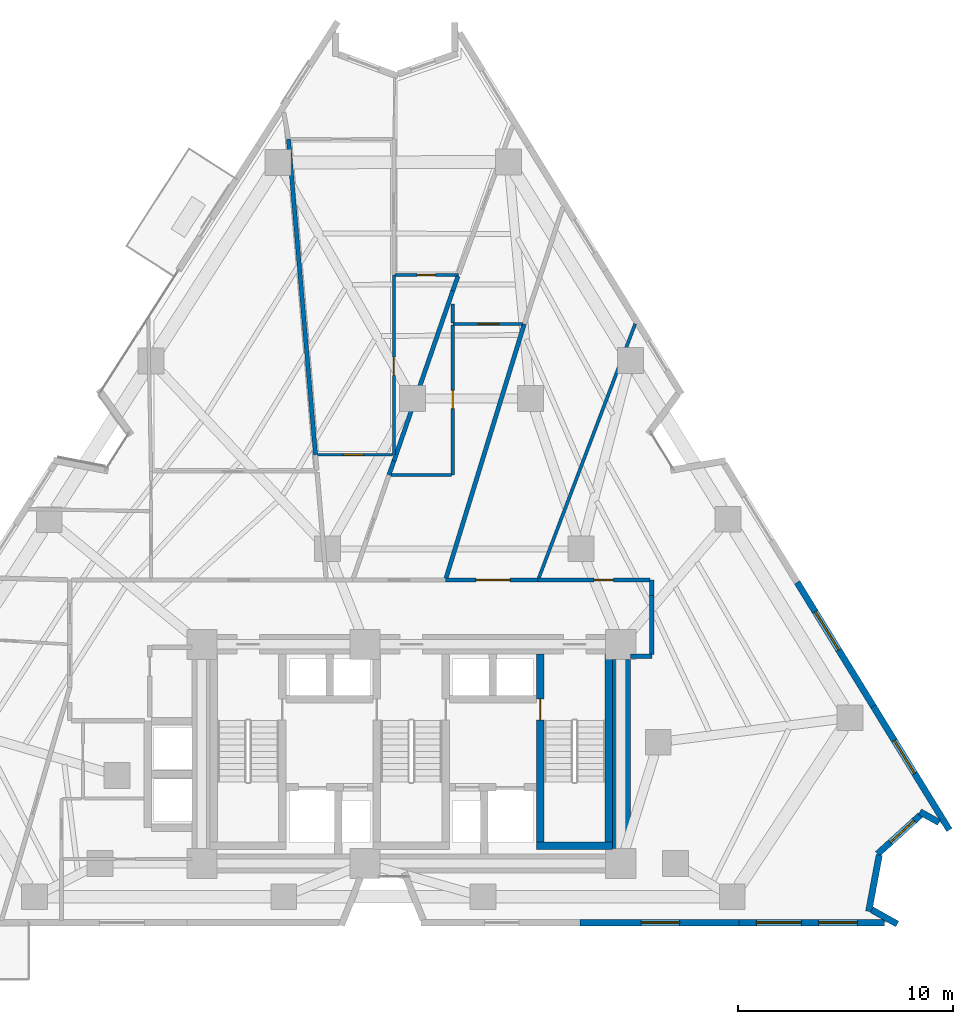
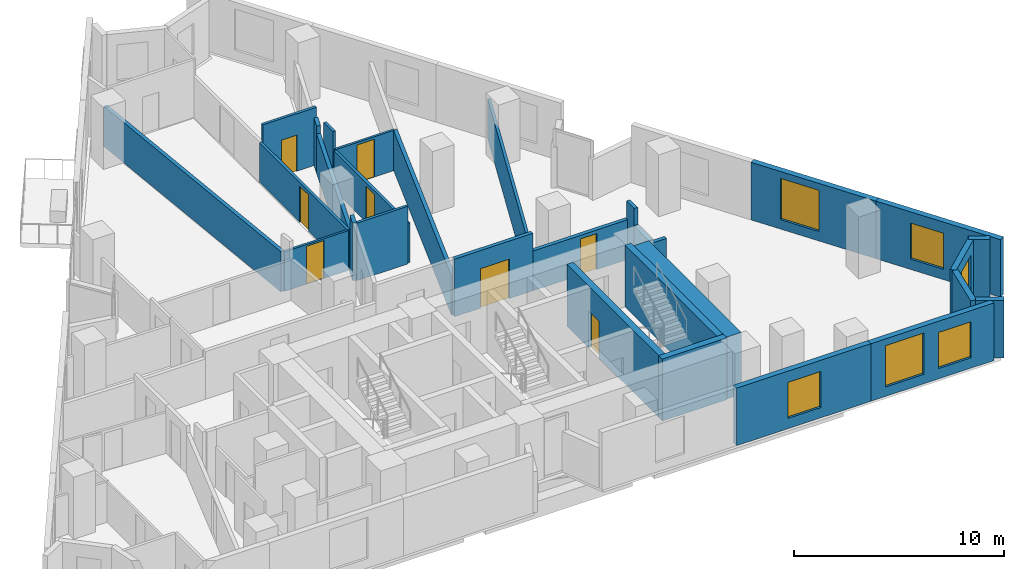
# One storey, part 8 of 13: 30 walls, 8 doors, 6 windows, 14 openings.
"""IFC4 building model written with IfcOpenShell, lengths in metres."""

from ifc_helpers import new_model, si_unit, direction, frame, frame_2d, origin, place, context, subcontext, project, spatial, rectangle, extrude, material, layer, layer_set, type_object, element, fill, save


model = new_model("IFC4")

# Units and contexts
model_context = context("Model", 3, precision=1e-05, world=origin(), true_north=direction((0.0, 1.0)))
body_context = subcontext(model_context, "Body", "Model", "MODEL_VIEW")
ifc_project = project(units=[si_unit("LENGTHUNIT", "METRE"), si_unit("AREAUNIT", "SQUARE_METRE"), si_unit("VOLUMEUNIT", "CUBIC_METRE"), si_unit("PLANEANGLEUNIT", "RADIAN"), si_unit("MASSUNIT", "GRAM", prefix="KILO")], contexts=[model_context])

# Site, building, storey
site_placement = place(None, origin())
site = spatial("IfcSite", under=ifc_project, at=site_placement, CompositionType="ELEMENT")
building_placement = place(site_placement, origin())
building = spatial("IfcBuilding", under=site, at=building_placement, Name="Almagre Mirador Tower", CompositionType="ELEMENT")
storey_placement = place(building_placement, frame((0.0, 0.0, 89.39990234375)))
storey = spatial("IfcBuildingStorey", under=building, at=storey_placement, Name="L22", CompositionType="ELEMENT", Elevation=89.39990234375)

# Wall, opening, window
ifc_material_1 = material(Name="Precast concrete C50/60", Category="concrete")
ifc_layer_1 = layer(ifc_material_1, 0.300048828125)
ifc_layer_set_1 = layer_set([ifc_layer_1], Name="Precast concrete C50/60")
wall_type_1 = type_object("IfcWallType", Name="WAL-EXT-300", PredefinedType="SOLIDWALL", material=ifc_layer_set_1)
wall_1_placement = place(storey_placement, frame((55.2646484375, 17.63720703125, 0.0), z_axis=(0.0, 0.0, 1.0), x_axis=(0.523668488753, -0.851922129004, 0.0)))
wall_1 = element("IfcWall", 1, at=wall_1_placement, inside=storey, type_object=wall_type_1, Name="L22 expressed almagre precast frame wall 15", PredefinedType="SOLIDWALL", context=body_context, shape_type="SweptSolid", body=[
    extrude(rectangle(XDim=6.76513671875, YDim=0.300048828125, at=frame_2d((3.382568359375, 0.0))), origin(), (0.0, 0.0, 1.0), 3.35009765625),
])
opening_1_placement = place(wall_1_placement, frame((1.60009765625, 0.0, 0.550048828125)))
opening_1 = element("IfcOpeningElement", 2, at=opening_1_placement, cuts=wall_1, Name="Opening WN-05", PredefinedType="OPENING", context=body_context, shape_type="SweptSolid", body=[
    extrude(rectangle(XDim=2.10009765625, YDim=2.39990234375, at=frame_2d((1.050048828125, 1.199951171875))), frame((0.0, 0.159902, 0.0), z_axis=(0.0, -1.0, 0.0), x_axis=(1.0, 0.0, 0.0)), (0.0, 0.0, 1.0), 0.320049),
])
ifc_material_2 = material(Name="Dark solar-control laminated hurricane glass", Category="glass")
window_type_1 = type_object("IfcWindowType", Name="WIN-2100X2400", PartitioningType="DOUBLE_PANEL_VERTICAL", PredefinedType="WINDOW", material=ifc_material_2)
window_1_placement = place(opening_1_placement, origin())
window_1 = element("IfcWindow", 3, at=window_1_placement, inside=storey, type_object=window_type_1, Name="L22 recessed hurricane window L22-RST-E", OverallHeight=2.39990234375, OverallWidth=2.10009765625, PartitioningType="SINGLE_PANEL", PredefinedType="WINDOW", context=body_context, shape_type="SweptSolid", body=[
    extrude(rectangle(XDim=2.10009765625, YDim=2.39990234375, at=frame_2d((1.050048828125, 1.199951171875))), frame((0.0, 0.030029296875, 0.0), z_axis=(0.0, -1.0, 0.0), x_axis=(1.0, 0.0, 0.0)), (0.0, 0.0, 1.0), 0.06005859375),
])
fill(opening_1, window_1)

wall_2_placement = place(storey_placement, frame((58.807373046875, 11.873779296875, 0.0), z_axis=(0.0, 0.0, 1.0), x_axis=(0.523710779633, -0.851896131754, 0.0)))
wall_2 = element("IfcWall", 4, at=wall_2_placement, inside=storey, type_object=wall_type_1, Name="L22 expressed almagre precast frame wall 16", PredefinedType="SOLIDWALL", context=body_context, shape_type="SweptSolid", body=[
    extrude(rectangle(XDim=6.76513671875, YDim=0.300048828125, at=frame_2d((3.382568359375, 0.0))), origin(), (0.0, 0.0, 1.0), 3.35009765625),
])
opening_2_placement = place(wall_2_placement, frame((1.875, 0.0, 0.60009765625)))
opening_2 = element("IfcOpeningElement", 5, at=opening_2_placement, cuts=wall_2, Name="Opening WN-01", PredefinedType="OPENING", context=body_context, shape_type="SweptSolid", body=[
    extrude(rectangle(XDim=1.800048828125, YDim=2.10009765625, at=frame_2d((0.89990234375, 1.050048828125))), frame((0.0, 0.159902, 0.0), z_axis=(0.0, -1.0, 0.0), x_axis=(1.0, 0.0, 0.0)), (0.0, 0.0, 1.0), 0.320049),
])
ifc_material_3 = material(Name="Dark solar-control laminated hurricane glass", Category="glass")
window_type_2 = type_object("IfcWindowType", Name="WIN-1800X2100", PartitioningType="DOUBLE_PANEL_VERTICAL", PredefinedType="WINDOW", material=ifc_material_3)
window_2_placement = place(opening_2_placement, origin())
window_2 = element("IfcWindow", 6, at=window_2_placement, inside=storey, type_object=window_type_2, Name="L22 recessed hurricane window L22-UD-ST", OverallHeight=2.10009765625, OverallWidth=1.800048828125, PartitioningType="SINGLE_PANEL", PredefinedType="WINDOW", context=body_context, shape_type="SweptSolid", body=[
    extrude(rectangle(XDim=1.800048828125, YDim=2.10009765625, at=frame_2d((0.89990234375, 1.050048828125))), frame((0.0, 0.030029296875, 0.0), z_axis=(0.0, -1.0, 0.0), x_axis=(1.0, 0.0, 0.0)), (0.0, 0.0, 1.0), 0.06005859375),
])
fill(opening_2, window_2)

# Wall
wall_3_placement = place(storey_placement, frame((61.87109375, 6.45703125, 0.0), z_axis=(0.0, 0.0, 1.0), x_axis=(-0.872635981388, 0.488371215355, 0.0)))
element("IfcWall", 7, at=wall_3_placement, inside=storey, type_object=wall_type_1, Name="L22 expressed almagre precast frame wall 17", PredefinedType="SOLIDWALL", context=body_context, shape_type="SweptSolid", body=[
    extrude(rectangle(XDim=1.02490234375, YDim=0.300048828125, at=frame_2d((0.512451171875, 0.0))), origin(), (0.0, 0.0, 1.0), 3.35009765625),
])

# Wall, opening, window
wall_4_placement = place(storey_placement, frame((61.002685546875, 6.8017578125, 0.0), z_axis=(0.0, 0.0, 1.0), x_axis=(-0.741163448221, -0.671324618215, 0.0)))
wall_4 = element("IfcWall", 8, at=wall_4_placement, inside=storey, type_object=wall_type_1, Name="L22 expressed almagre precast frame wall 18", PredefinedType="SOLIDWALL", context=body_context, shape_type="SweptSolid", body=[
    extrude(rectangle(XDim=2.688232421875, YDim=0.300048828125, at=frame_2d((1.34423828125, 0.0))), origin(), (0.0, 0.0, 1.0), 3.35009765625),
])
opening_3_placement = place(wall_4_placement, frame((0.3798828125, 0.0, 0.60009765625)))
opening_3 = element("IfcOpeningElement", 9, at=opening_3_placement, cuts=wall_4, Name="Opening WN-03", PredefinedType="OPENING", context=body_context, shape_type="SweptSolid", body=[
    extrude(rectangle(XDim=1.5, YDim=2.10009765625, at=frame_2d((0.75, 1.050048828125))), frame((0.0, 0.159902, 0.0), z_axis=(0.0, -1.0, 0.0), x_axis=(1.0, 0.0, 0.0)), (0.0, 0.0, 1.0), 0.320049),
])
ifc_material_4 = material(Name="Dark solar-control laminated hurricane glass", Category="glass")
window_type_3 = type_object("IfcWindowType", Name="WIN-1500X2100", PartitioningType="DOUBLE_PANEL_VERTICAL", PredefinedType="WINDOW", material=ifc_material_4)
window_3_placement = place(opening_3_placement, origin())
window_3 = element("IfcWindow", 10, at=window_3_placement, inside=storey, type_object=window_type_3, Name="L22 recessed hurricane window L22-UD-ST", OverallHeight=2.10009765625, OverallWidth=1.5, PartitioningType="SINGLE_PANEL", PredefinedType="WINDOW", context=body_context, shape_type="SweptSolid", body=[
    extrude(rectangle(XDim=1.5, YDim=2.10009765625, at=frame_2d((0.75, 1.050048828125))), frame((0.0, 0.030029296875, 0.0), z_axis=(0.0, -1.0, 0.0), x_axis=(1.0, 0.0, 0.0)), (0.0, 0.0, 1.0), 0.06005859375),
])
fill(opening_3, window_3)

# Walls
wall_5_placement = place(storey_placement, frame((59.08740234375, 4.948486328125, 0.0), z_axis=(0.0, 0.0, 1.0), x_axis=(-0.183786629236, -0.982966161632, 0.0)))
element("IfcWall", 11, at=wall_5_placement, inside=storey, type_object=wall_type_1, Name="L22 expressed almagre precast frame wall 19", PredefinedType="SOLIDWALL", context=body_context, shape_type="SweptSolid", body=[
    extrude(rectangle(XDim=2.672607421875, YDim=0.300048828125, at=frame_2d((1.33642578125, 0.0))), origin(), (0.0, 0.0, 1.0), 3.35009765625),
])
wall_6_placement = place(storey_placement, frame((58.7353515625, 2.3955078125, 0.0), z_axis=(0.0, 0.0, 1.0), x_axis=(0.872747775204, -0.488171405221, 0.0)))
element("IfcWall", 12, at=wall_6_placement, inside=storey, type_object=wall_type_1, Name="L22 expressed almagre precast frame wall 20", PredefinedType="SOLIDWALL", context=body_context, shape_type="SweptSolid", body=[
    extrude(rectangle(XDim=1.35986328125, YDim=0.300048828125, at=frame_2d((0.679931640625, 0.0))), origin(), (0.0, 0.0, 1.0), 3.35009765625),
])

# Wall, openings, windows
wall_7_placement = place(storey_placement, frame((59.340087890625, 1.800048828125, 0.0), z_axis=(0.0, 0.0, 1.0), x_axis=(-1.0, 0.0, 0.0)))
wall_7 = element("IfcWall", 13, at=wall_7_placement, inside=storey, type_object=wall_type_1, Name="L22 expressed almagre precast frame wall 21", PredefinedType="SOLIDWALL", context=body_context, shape_type="SweptSolid", body=[
    extrude(rectangle(XDim=6.79345703125, YDim=0.300048828125, at=frame_2d((3.396728515625, 0.0))), origin(), (0.0, 0.0, 1.0), 3.35009765625),
])
opening_4_placement = place(wall_7_placement, frame((3.875, 0.0, 0.550048828125)))
opening_4 = element("IfcOpeningElement", 14, at=opening_4_placement, cuts=wall_7, Name="Opening WN-05", PredefinedType="OPENING", context=body_context, shape_type="SweptSolid", body=[
    extrude(rectangle(XDim=2.10009765625, YDim=2.39990234375, at=frame_2d((1.050048828125, 1.199951171875))), frame((0.0, 0.159902, 0.0), z_axis=(0.0, -1.0, 0.0), x_axis=(1.0, 0.0, 0.0)), (0.0, 0.0, 1.0), 0.320049),
])
opening_5_placement = place(wall_7_placement, frame((1.27490234375, 0.0, 0.60009765625)))
opening_5 = element("IfcOpeningElement", 15, at=opening_5_placement, cuts=wall_7, Name="Opening WN-01", PredefinedType="OPENING", context=body_context, shape_type="SweptSolid", body=[
    extrude(rectangle(XDim=1.800048828125, YDim=2.10009765625, at=frame_2d((0.89990234375, 1.050048828125))), frame((0.0, 0.159902, 0.0), z_axis=(0.0, -1.0, 0.0), x_axis=(1.0, 0.0, 0.0)), (0.0, 0.0, 1.0), 0.320049),
])
window_4_placement = place(opening_5_placement, origin())
window_4 = element("IfcWindow", 16, at=window_4_placement, inside=storey, type_object=window_type_2, Name="L22 recessed hurricane window L22-UD-BT", OverallHeight=2.10009765625, OverallWidth=1.800048828125, PartitioningType="SINGLE_PANEL", PredefinedType="WINDOW", context=body_context, shape_type="SweptSolid", body=[
    extrude(rectangle(XDim=1.800048828125, YDim=2.10009765625, at=frame_2d((0.89990234375, 1.050048828125))), frame((0.0, 0.030029296875, 0.0), z_axis=(0.0, -1.0, 0.0), x_axis=(1.0, 0.0, 0.0)), (0.0, 0.0, 1.0), 0.06005859375),
])
fill(opening_5, window_4)
window_5_placement = place(opening_4_placement, origin())
window_5 = element("IfcWindow", 17, at=window_5_placement, inside=storey, type_object=window_type_1, Name="L22 recessed hurricane window L22-RST-B", OverallHeight=2.39990234375, OverallWidth=2.10009765625, PartitioningType="SINGLE_PANEL", PredefinedType="WINDOW", context=body_context, shape_type="SweptSolid", body=[
    extrude(rectangle(XDim=2.10009765625, YDim=2.39990234375, at=frame_2d((1.050048828125, 1.199951171875))), frame((0.0, 0.030029296875, 0.0), z_axis=(0.0, -1.0, 0.0), x_axis=(1.0, 0.0, 0.0)), (0.0, 0.0, 1.0), 0.06005859375),
])
fill(opening_4, window_5)

# Wall, opening, window
wall_8_placement = place(storey_placement, frame((52.546630859375, 1.800048828125, 0.0), z_axis=(0.0, 0.0, 1.0), x_axis=(-1.0, 0.0, 0.0)))
wall_8 = element("IfcWall", 18, at=wall_8_placement, inside=storey, type_object=wall_type_1, Name="L22 expressed almagre precast frame wall 22", PredefinedType="SOLIDWALL", context=body_context, shape_type="SweptSolid", body=[
    extrude(rectangle(XDim=7.393310546875, YDim=0.300048828125, at=frame_2d((3.69677734375, 0.0))), origin(), (0.0, 0.0, 1.0), 3.35009765625),
])
opening_6_placement = place(wall_8_placement, frame((2.75, 0.0, 0.60009765625)))
opening_6 = element("IfcOpeningElement", 19, at=opening_6_placement, cuts=wall_8, Name="Opening WN-01", PredefinedType="OPENING", context=body_context, shape_type="SweptSolid", body=[
    extrude(rectangle(XDim=1.800048828125, YDim=2.10009765625, at=frame_2d((0.89990234375, 1.050048828125))), frame((0.0, 0.159902, 0.0), z_axis=(0.0, -1.0, 0.0), x_axis=(1.0, 0.0, 0.0)), (0.0, 0.0, 1.0), 0.320049),
])
window_6_placement = place(opening_6_placement, origin())
window_6 = element("IfcWindow", 20, at=window_6_placement, inside=storey, type_object=window_type_2, Name="L22 recessed hurricane window L22-RST-B", OverallHeight=2.10009765625, OverallWidth=1.800048828125, PartitioningType="SINGLE_PANEL", PredefinedType="WINDOW", context=body_context, shape_type="SweptSolid", body=[
    extrude(rectangle(XDim=1.800048828125, YDim=2.10009765625, at=frame_2d((0.89990234375, 1.050048828125))), frame((0.0, 0.030029296875, 0.0), z_axis=(0.0, -1.0, 0.0), x_axis=(1.0, 0.0, 0.0)), (0.0, 0.0, 1.0), 0.06005859375),
])
fill(opening_6, window_6)

# Wall, opening, door
ifc_material_5 = material(Name="Gypsum acoustic stud partition", Category="other")
ifc_layer_2 = layer(ifc_material_5, 0.125)
ifc_layer_set_2 = layer_set([ifc_layer_2], Name="Gypsum acoustic stud partition")
wall_type_2 = type_object("IfcWallType", Name="WAL-PRT-125-UTL", PredefinedType="PARTITIONING", material=ifc_layer_set_2)
wall_9_placement = place(storey_placement, frame((32.925048828125, 23.580078125, 0.0), z_axis=(0.0, 0.0, 1.0), x_axis=(1.0, 0.0, 0.0)))
wall_9 = element("IfcWall", 21, at=wall_9_placement, inside=storey, type_object=wall_type_2, Name="L22 interior partition 050", PredefinedType="PARTITIONING", context=body_context, shape_type="SweptSolid", body=[
    extrude(rectangle(XDim=3.5048828125, YDim=0.125, at=frame_2d((1.75244140625, 0.0))), origin(), (0.0, 0.0, 1.0), 2.30908203125),
])
opening_7_placement = place(wall_9_placement, frame((1.20751953125, 0.0, 0.0)))
opening_7 = element("IfcOpeningElement", 22, at=opening_7_placement, cuts=wall_9, Name="Opening UD-01", PredefinedType="OPENING", context=body_context, shape_type="SweptSolid", body=[
    extrude(rectangle(XDim=0.949951171875, YDim=2.199951171875, at=frame_2d((0.47509765625, 1.10009765625))), frame((0.0, 0.0725, 0.0), z_axis=(0.0, -1.0, 0.0), x_axis=(1.0, 0.0, 0.0)), (0.0, 0.0, 1.0), 0.145),
])
ifc_material_6 = material(Name="Solid American walnut timber", Category="wood")
door_type_1 = type_object("IfcDoorType", Name="DOR-UNR-950X2200", OperationType="NOTDEFINED", PredefinedType="DOOR", material=ifc_material_6)
door_1_placement = place(opening_7_placement, origin())
door_1 = element("IfcDoor", 23, at=door_1_placement, inside=storey, type_object=door_type_1, Name="DR-0758 L22 interior door L22-UH-LV to L22-UH-KT", OperationType="SINGLE_SWING_RIGHT", OverallHeight=2.199951171875, OverallWidth=0.949951171875, PredefinedType="DOOR", context=body_context, shape_type="SweptSolid", body=[
    extrude(rectangle(XDim=0.949951171875, YDim=2.199951171875, at=frame_2d((0.47509765625, 1.10009765625))), frame((0.0, 0.02490234375, 0.0), z_axis=(0.0, -1.0, 0.0), x_axis=(1.0, 0.0, 0.0)), (0.0, 0.0, 1.0), 0.050048828125),
])
fill(opening_7, door_1)

wall_10_placement = place(storey_placement, frame((42.47509765625, 29.669921875, 0.0), z_axis=(0.0, 0.0, 1.0), x_axis=(-1.0, 0.0, 0.0)))
wall_10 = element("IfcWall", 24, at=wall_10_placement, inside=storey, type_object=wall_type_2, Name="L22 interior partition 061", PredefinedType="PARTITIONING", context=body_context, shape_type="SweptSolid", body=[
    extrude(rectangle(XDim=3.2451171875, YDim=0.125, at=frame_2d((1.62255859375, 0.0))), origin(), (0.0, 0.0, 1.0), 2.34521484375),
])
opening_8_placement = place(wall_10_placement, frame((1.10498046875, 0.0, 0.0)))
opening_8 = element("IfcOpeningElement", 25, at=opening_8_placement, cuts=wall_10, Name="Opening UD-01", PredefinedType="OPENING", context=body_context, shape_type="SweptSolid", body=[
    extrude(rectangle(XDim=0.949951171875, YDim=2.199951171875, at=frame_2d((0.47509765625, 1.10009765625))), frame((0.0, 0.0725, 0.0), z_axis=(0.0, -1.0, 0.0), x_axis=(1.0, 0.0, 0.0)), (0.0, 0.0, 1.0), 0.145),
])
door_2_placement = place(opening_8_placement, origin())
door_2 = element("IfcDoor", 26, at=door_2_placement, inside=storey, type_object=door_type_1, Name="DR-0762 L22 interior door L22-UJ-ST to L22-UJ-KT", OperationType="SINGLE_SWING_RIGHT", OverallHeight=2.199951171875, OverallWidth=0.949951171875, PredefinedType="DOOR", context=body_context, shape_type="SweptSolid", body=[
    extrude(rectangle(XDim=0.949951171875, YDim=2.199951171875, at=frame_2d((0.47509765625, 1.10009765625))), frame((0.0, 0.02490234375, 0.0), z_axis=(0.0, -1.0, 0.0), x_axis=(1.0, 0.0, 0.0)), (0.0, 0.0, 1.0), 0.050048828125),
])
fill(opening_8, door_2)

# Wall
ifc_material_7 = material(Name="Gypsum acoustic stud partition", Category="other")
ifc_layer_3 = layer(ifc_material_7, 0.14990234375)
ifc_layer_set_3 = layer_set([ifc_layer_3], Name="Gypsum acoustic stud partition")
wall_type_3 = type_object("IfcWallType", Name="WAL-PRT-150-STD", PredefinedType="PARTITIONING", material=ifc_layer_set_3)
wall_11_placement = place(storey_placement, frame((47.72509765625, 29.677978515625, 0.0), z_axis=(0.0, 0.0, 1.0), x_axis=(-0.354716375587, -0.934973953054, 0.0)))
element("IfcWall", 27, at=wall_11_placement, inside=storey, type_object=wall_type_3, Name="L22 interior partition 037", PredefinedType="PARTITIONING", context=body_context, shape_type="SweptSolid", body=[
    extrude(rectangle(XDim=12.67236328125, YDim=0.14990234375, at=frame_2d((6.336181640625, 0.0))), origin(), (0.0, 0.0, 1.0), 2.30908203125),
])

# Wall, opening, door
wall_12_placement = place(storey_placement, frame((36.489990234375, 23.580078125, 0.0), z_axis=(0.0, 0.0, 1.0), x_axis=(0.0, 1.0, 0.0)))
wall_12 = element("IfcWall", 28, at=wall_12_placement, inside=storey, type_object=wall_type_3, Name="L22 interior partition 049", PredefinedType="PARTITIONING", context=body_context, shape_type="SweptSolid", body=[
    extrude(rectangle(XDim=8.369873046875, YDim=0.14990234375, at=frame_2d((4.18505859375, 0.0))), origin(), (0.0, 0.0, 1.0), 2.30908203125),
])
opening_9_placement = place(wall_12_placement, frame((3.70068359375, 0.0, 0.0)))
opening_9 = element("IfcOpeningElement", 29, at=opening_9_placement, cuts=wall_12, Name="Opening UD-04", PredefinedType="OPENING", context=body_context, shape_type="SweptSolid", body=[
    extrude(rectangle(XDim=0.85009765625, YDim=2.10009765625, at=frame_2d((0.425048828125, 1.050048828125))), frame((0.0, 0.084951, 0.0), z_axis=(0.0, -1.0, 0.0), x_axis=(1.0, 0.0, 0.0)), (0.0, 0.0, 1.0), 0.169902),
])
ifc_material_8 = material(Name="Moisture-resistant oak timber", Category="wood")
door_type_2 = type_object("IfcDoorType", Name="DOR-UNR-850X2100", OperationType="NOTDEFINED", PredefinedType="DOOR", material=ifc_material_8)
door_3_placement = place(opening_9_placement, origin())
door_3 = element("IfcDoor", 30, at=door_3_placement, inside=storey, type_object=door_type_2, Name="DR-0759 L22 interior door L22-UH-LV to L22-UH-HB", OperationType="SINGLE_SWING_LEFT", OverallHeight=2.10009765625, OverallWidth=0.85009765625, PredefinedType="DOOR", context=body_context, shape_type="SweptSolid", body=[
    extrude(rectangle(XDim=0.85009765625, YDim=2.10009765625, at=frame_2d((0.425048828125, 1.050048828125))), frame((0.0, 0.02490234375, 0.0), z_axis=(0.0, -1.0, 0.0), x_axis=(1.0, 0.0, 0.0)), (0.0, 0.0, 1.0), 0.050048828125),
])
fill(opening_9, door_3)

wall_13_placement = place(storey_placement, frame((39.489990234375, 31.949951171875, 0.0), z_axis=(0.0, 0.0, 1.0), x_axis=(-1.0, 0.0, 0.0)))
wall_13 = element("IfcWall", 31, at=wall_13_placement, inside=storey, type_object=wall_type_3, Name="L22 interior partition 054", PredefinedType="PARTITIONING", context=body_context, shape_type="SweptSolid", body=[
    extrude(rectangle(XDim=2.93994140625, YDim=0.14990234375, at=frame_2d((1.469970703125, 0.0))), origin(), (0.0, 0.0, 1.0), 3.35009765625),
])
opening_10_placement = place(wall_13_placement, frame((1.074951171875, 0.0, 0.0)))
opening_10 = element("IfcOpeningElement", 32, at=opening_10_placement, cuts=wall_13, Name="Opening UD-04", PredefinedType="OPENING", context=body_context, shape_type="SweptSolid", body=[
    extrude(rectangle(XDim=0.85009765625, YDim=2.10009765625, at=frame_2d((0.425048828125, 1.050048828125))), frame((0.0, 0.084951, 0.0), z_axis=(0.0, -1.0, 0.0), x_axis=(1.0, 0.0, 0.0)), (0.0, 0.0, 1.0), 0.169902),
])
door_4_placement = place(opening_10_placement, origin())
door_4 = element("IfcDoor", 33, at=door_4_placement, inside=storey, type_object=door_type_2, Name="DR-0768 L22 interior door L22-UH-HB to L22-UH-SL1", OperationType="SINGLE_SWING_RIGHT", OverallHeight=2.10009765625, OverallWidth=0.85009765625, PredefinedType="DOOR", context=body_context, shape_type="SweptSolid", body=[
    extrude(rectangle(XDim=0.85009765625, YDim=2.10009765625, at=frame_2d((0.425048828125, 1.050048828125))), frame((0.0, 0.02490234375, 0.0), z_axis=(0.0, -1.0, 0.0), x_axis=(1.0, 0.0, 0.0)), (0.0, 0.0, 1.0), 0.050048828125),
])
fill(opening_10, door_4)

wall_14_placement = place(storey_placement, frame((39.22998046875, 29.62255859375, 0.0), z_axis=(0.0, 0.0, 1.0), x_axis=(0.0, -1.0, 0.0)))
wall_14 = element("IfcWall", 34, at=wall_14_placement, inside=storey, type_object=wall_type_3, Name="L22 interior partition 062", PredefinedType="PARTITIONING", context=body_context, shape_type="SweptSolid", body=[
    extrude(rectangle(XDim=6.982666015625, YDim=0.14990234375, at=frame_2d((3.4912109375, 0.0))), origin(), (0.0, 0.0, 1.0), 2.30908203125),
])
opening_11_placement = place(wall_14_placement, frame((3.04248046875, 0.0, 0.0)))
opening_11 = element("IfcOpeningElement", 35, at=opening_11_placement, cuts=wall_14, Name="Opening UD-04", PredefinedType="OPENING", context=body_context, shape_type="SweptSolid", body=[
    extrude(rectangle(XDim=0.85009765625, YDim=2.10009765625, at=frame_2d((0.425048828125, 1.050048828125))), frame((0.0, 0.084951, 0.0), z_axis=(0.0, -1.0, 0.0), x_axis=(1.0, 0.0, 0.0)), (0.0, 0.0, 1.0), 0.169902),
])
door_5_placement = place(opening_11_placement, origin())
door_5 = element("IfcDoor", 36, at=door_5_placement, inside=storey, type_object=door_type_2, Name="DR-0763 L22 interior door L22-UJ-ST to L22-UJ-BT", OperationType="SINGLE_SWING_LEFT", OverallHeight=2.10009765625, OverallWidth=0.85009765625, PredefinedType="DOOR", context=body_context, shape_type="SweptSolid", body=[
    extrude(rectangle(XDim=0.85009765625, YDim=2.10009765625, at=frame_2d((0.425048828125, 1.050048828125))), frame((0.0, 0.02490234375, 0.0), z_axis=(0.0, -1.0, 0.0), x_axis=(1.0, 0.0, 0.0)), (0.0, 0.0, 1.0), 0.050048828125),
])
fill(opening_11, door_5)

# Walls
wall_15_placement = place(storey_placement, frame((39.169921875, 22.639892578125, 0.0), z_axis=(0.0, 0.0, 1.0), x_axis=(-1.0, 0.0, 0.0)))
element("IfcWall", 37, at=wall_15_placement, inside=storey, type_object=wall_type_3, Name="L22 interior partition 063", PredefinedType="PARTITIONING", context=body_context, shape_type="SweptSolid", body=[
    extrude(rectangle(XDim=2.824951171875, YDim=0.14990234375, at=frame_2d((1.41259765625, 0.0))), origin(), (0.0, 0.0, 1.0), 3.35009765625),
])
wall_16_placement = place(storey_placement, frame((39.22998046875, 30.598388671875, 0.0), z_axis=(0.0, 0.0, 1.0), x_axis=(0.0, -1.0, 0.0)))
element("IfcWall", 38, at=wall_16_placement, inside=storey, type_object=wall_type_3, Name="L22 interior partition 064", PredefinedType="PARTITIONING", context=body_context, shape_type="SweptSolid", body=[
    extrude(rectangle(XDim=0.880859375, YDim=0.14990234375, at=frame_2d((0.4404296875, 0.0))), origin(), (0.0, 0.0, 1.0), 3.35009765625),
])
ifc_material_9 = material(Name="Gypsum acoustic stud partition", Category="other")
ifc_layer_4 = layer(ifc_material_9, 0.199951171875)
ifc_layer_set_4 = layer_set([ifc_layer_4], Name="Gypsum acoustic stud partition")
wall_type_4 = type_object("IfcWallType", Name="WAL-PRT-200-EI60", PredefinedType="PARTITIONING", material=ifc_layer_set_4)
wall_17_placement = place(storey_placement, frame((47.5, 14.199951171875, 0.0), z_axis=(0.0, 0.0, 1.0), x_axis=(1.0, 0.0, 0.0)))
element("IfcWall", 39, at=wall_17_placement, inside=storey, type_object=wall_type_4, Name="L22 interior partition 004", PredefinedType="PARTITIONING", context=body_context, shape_type="SweptSolid", body=[
    extrude(rectangle(XDim=1.0, YDim=0.199951171875, at=frame_2d((0.5, 0.0))), origin(), (0.0, 0.0, 1.0), 3.35009765625),
])
wall_18_placement = place(storey_placement, frame((48.5, 14.284912109375, 0.0), z_axis=(0.0, 0.0, 1.0), x_axis=(0.0, 1.0, 0.0)))
element("IfcWall", 40, at=wall_18_placement, inside=storey, type_object=wall_type_4, Name="L22 interior partition 005", PredefinedType="PARTITIONING", context=body_context, shape_type="SweptSolid", body=[
    extrude(rectangle(XDim=2.735107421875, YDim=0.199951171875, at=frame_2d((1.36767578125, 0.0))), origin(), (0.0, 0.0, 1.0), 2.34521484375),
])
wall_19_placement = place(storey_placement, frame((48.5, 17.02001953125, 0.0), z_axis=(0.0, 0.0, 1.0), x_axis=(0.0, 1.0, 0.0)))
element("IfcWall", 41, at=wall_19_placement, inside=storey, type_object=wall_type_4, Name="L22 interior partition 008", PredefinedType="PARTITIONING", context=body_context, shape_type="SweptSolid", body=[
    extrude(rectangle(XDim=0.72998046875, YDim=0.199951171875, at=frame_2d((0.364990234375, 0.0))), origin(), (0.0, 0.0, 1.0), 3.35009765625),
])

# Wall, opening, door
wall_20_placement = place(storey_placement, frame((48.4150390625, 17.75, 0.0), z_axis=(0.0, 0.0, 1.0), x_axis=(-1.0, 0.0, 0.0)))
wall_20 = element("IfcWall", 42, at=wall_20_placement, inside=storey, type_object=wall_type_4, Name="L22 interior partition 009", PredefinedType="PARTITIONING", context=body_context, shape_type="SweptSolid", body=[
    extrude(rectangle(XDim=5.215087890625, YDim=0.199951171875, at=frame_2d((2.607421875, 0.0))), origin(), (0.0, 0.0, 1.0), 2.30908203125),
])
opening_12_placement = place(wall_20_placement, frame((1.702880859375, 0.0, 0.0)))
opening_12 = element("IfcOpeningElement", 43, at=opening_12_placement, cuts=wall_20, Name="Opening ID-03", PredefinedType="OPENING", context=body_context, shape_type="SweptSolid", body=[
    extrude(rectangle(XDim=0.89990234375, YDim=2.10009765625, at=frame_2d((0.449951171875, 1.050048828125))), frame((0.0, 0.110098, 0.0), z_axis=(0.0, -1.0, 0.0), x_axis=(1.0, 0.0, 0.0)), (0.0, 0.0, 1.0), 0.219951),
])
ifc_material_10 = material(Name="Fire-rated hollow steel", Category="steel")
door_type_3 = type_object("IfcDoorType", Name="DOR-FD60-900X2100", OperationType="NOTDEFINED", PredefinedType="DOOR", material=ifc_material_10)
door_6_placement = place(opening_12_placement, origin())
door_6 = element("IfcDoor", 44, at=door_6_placement, inside=storey, type_object=door_type_3, Name="DR-0746 L22 interior door L22-RCOR to L22-RST-E", OperationType="SINGLE_SWING_RIGHT", OverallHeight=2.10009765625, OverallWidth=0.89990234375, PredefinedType="DOOR", context=body_context, shape_type="SweptSolid", body=[
    extrude(rectangle(XDim=0.89990234375, YDim=2.10009765625, at=frame_2d((0.449951171875, 1.050048828125))), frame((0.0, 0.02490234375, 0.0), z_axis=(0.0, -1.0, 0.0), x_axis=(1.0, 0.0, 0.0)), (0.0, 0.0, 1.0), 0.050048828125),
])
fill(opening_12, door_6)

wall_21_placement = place(storey_placement, frame((43.199951171875, 17.75, 0.0), z_axis=(0.0, 0.0, 1.0), x_axis=(-1.0, 0.0, 0.0)))
wall_21 = element("IfcWall", 45, at=wall_21_placement, inside=storey, type_object=wall_type_4, Name="L22 interior partition 012", PredefinedType="PARTITIONING", context=body_context, shape_type="SweptSolid", body=[
    extrude(rectangle(XDim=4.31005859375, YDim=0.199951171875, at=frame_2d((2.155029296875, 0.0))), origin(), (0.0, 0.0, 1.0), 3.35009765625),
])
opening_13_placement = place(wall_21_placement, frame((1.297119140625, 0.0, 0.0)))
opening_13 = element("IfcOpeningElement", 46, at=opening_13_placement, cuts=wall_21, Name="Opening ID-05", PredefinedType="OPENING", context=body_context, shape_type="SweptSolid", body=[
    extrude(rectangle(XDim=1.60009765625, YDim=2.300048828125, at=frame_2d((0.800048828125, 1.14990234375))), frame((0.0, 0.110098, 0.0), z_axis=(0.0, -1.0, 0.0), x_axis=(1.0, 0.0, 0.0)), (0.0, 0.0, 1.0), 0.219951),
])
ifc_material_11 = material(Name="Fire-rated acoustic timber", Category="wood")
door_type_4 = type_object("IfcDoorType", Name="DOR-FD60-1600X2300", OperationType="DOUBLE_DOOR_SINGLE_SWING", PredefinedType="DOOR", material=ifc_material_11)
door_7_placement = place(opening_13_placement, origin())
door_7 = element("IfcDoor", 47, at=door_7_placement, inside=storey, type_object=door_type_4, Name="DR-0747 L22 interior door L22-RCOR to L22-RST-G", OperationType="DOUBLE_DOOR_SINGLE_SWING", OverallHeight=2.300048828125, OverallWidth=1.60009765625, PredefinedType="DOOR", context=body_context, shape_type="SweptSolid", body=[
    extrude(rectangle(XDim=1.60009765625, YDim=2.300048828125, at=frame_2d((0.800048828125, 1.14990234375))), frame((0.0, 0.02490234375, 0.0), z_axis=(0.0, -1.0, 0.0), x_axis=(1.0, 0.0, 0.0)), (0.0, 0.0, 1.0), 0.050048828125),
])
fill(opening_13, door_7)

# Walls
wall_22_placement = place(storey_placement, frame((32.840087890625, 23.580078125, 0.0), z_axis=(0.0, 0.0, 1.0), x_axis=(-0.085402080026, 0.996346568583, 0.0)))
element("IfcWall", 48, at=wall_22_placement, inside=storey, type_object=wall_type_4, Name="L22 interior partition 044", PredefinedType="PARTITIONING", context=body_context, shape_type="SweptSolid", body=[
    extrude(rectangle(XDim=14.75390625, YDim=0.199951171875, at=frame_2d((7.376953125, 0.0))), origin(), (0.0, 0.0, 1.0), 2.34521484375),
])
wall_23_placement = place(storey_placement, frame((42.56005859375, 29.669921875, 0.0), z_axis=(0.0, 0.0, 1.0), x_axis=(-0.294260351441, -0.955725298174, 0.0)))
element("IfcWall", 49, at=wall_23_placement, inside=storey, type_object=wall_type_4, Name="L22 interior partition 047", PredefinedType="PARTITIONING", context=body_context, shape_type="SweptSolid", body=[
    extrude(rectangle(XDim=12.386962890625, YDim=0.199951171875, at=frame_2d((6.193359375, 0.0))), origin(), (0.0, 0.0, 1.0), 2.30908203125),
])
wall_24_placement = place(storey_placement, frame((39.22998046875, 31.2099609375, 0.0), z_axis=(0.0, 0.0, 1.0), x_axis=(0.331656267321, 0.943400296983, 0.0)))
element("IfcWall", 50, at=wall_24_placement, inside=storey, type_object=wall_type_4, Name="L22 interior partition 055", PredefinedType="PARTITIONING", context=body_context, shape_type="SweptSolid", body=[
    extrude(rectangle(XDim=0.724365234375, YDim=0.199951171875, at=frame_2d((0.3623046875, 0.0))), origin(), (0.0, 0.0, 1.0), 2.77099609375),
])
wall_25_placement = place(storey_placement, frame((36.489990234375, 23.2900390625, 0.0), z_axis=(0.0, 0.0, 1.0), x_axis=(0.326948466607, 0.945042168468, 0.0)))
element("IfcWall", 51, at=wall_25_placement, inside=storey, type_object=wall_type_4, Name="L22 interior partition 056", PredefinedType="PARTITIONING", context=body_context, shape_type="SweptSolid", body=[
    extrude(rectangle(XDim=8.380615234375, YDim=0.199951171875, at=frame_2d((4.1904296875, 0.0))), origin(), (0.0, 0.0, 1.0), 2.30908203125),
])
wall_26_placement = place(storey_placement, frame((36.260009765625, 22.639892578125, 0.0), z_axis=(0.0, 0.0, 1.0), x_axis=(0.333486681142, 0.942754810914, 0.0)))
element("IfcWall", 52, at=wall_26_placement, inside=storey, type_object=wall_type_4, Name="L22 interior partition 058", PredefinedType="PARTITIONING", context=body_context, shape_type="SweptSolid", body=[
    extrude(rectangle(XDim=0.689697265625, YDim=0.199951171875, at=frame_2d((0.3447265625, 0.0))), origin(), (0.0, 0.0, 1.0), 3.35009765625),
])

# Wall, opening, door
ifc_material_12 = material(Name="Concrete C60/75", Category="concrete")
ifc_layer_5 = layer(ifc_material_12, 0.35009765625)
ifc_layer_set_5 = layer_set([ifc_layer_5], Name="Concrete C60/75")
wall_type_5 = type_object("IfcWallType", Name="WAL-SHF-350", PredefinedType="SOLIDWALL", material=ifc_layer_set_5)
wall_27_placement = place(storey_placement, frame((43.300048828125, 5.199951171875, 0.0), z_axis=(0.0, 0.0, 1.0), x_axis=(0.0, 1.0, 0.0)))
wall_27 = element("IfcWall", 53, at=wall_27_placement, inside=storey, type_object=wall_type_5, Name="L22 shaft wall ST3-W", PredefinedType="SOLIDWALL", context=body_context, shape_type="SweptSolid", body=[
    extrude(rectangle(XDim=9.10009765625, YDim=0.35009765625, at=frame_2d((4.550048828125, 0.0))), origin(), (0.0, 0.0, 1.0), 3.60009765625),
])
opening_14_placement = place(wall_27_placement, frame((6.02001953125, 0.0, 0.0)))
opening_14 = element("IfcOpeningElement", 54, at=opening_14_placement, cuts=wall_27, Name="Opening FD-01", PredefinedType="OPENING", context=body_context, shape_type="SweptSolid", body=[
    extrude(rectangle(XDim=1.0, YDim=2.14990234375, at=frame_2d((0.5, 1.074951171875))), frame((0.0, 0.185049, 0.0), z_axis=(0.0, -1.0, 0.0), x_axis=(1.0, 0.0, 0.0)), (0.0, 0.0, 1.0), 0.370098),
])
ifc_material_13 = material(Name="Fire-rated hollow steel", Category="steel")
door_type_5 = type_object("IfcDoorType", Name="DOR-FFL-1000X2150", OperationType="NOTDEFINED", PredefinedType="DOOR", material=ifc_material_13)
door_8_placement = place(opening_14_placement, origin())
door_8 = element("IfcDoor", 55, at=door_8_placement, inside=storey, type_object=door_type_5, Name="DR-0745 L22 FFL2-ST3 smokeproof door", OperationType="SINGLE_SWING_RIGHT", OverallHeight=2.14990234375, OverallWidth=1.0, PredefinedType="DOOR", context=body_context, shape_type="SweptSolid", body=[
    extrude(rectangle(XDim=1.0, YDim=2.14990234375, at=frame_2d((0.5, 1.074951171875))), frame((0.0, 0.02490234375, 0.0), z_axis=(0.0, -1.0, 0.0), x_axis=(1.0, 0.0, 0.0)), (0.0, 0.0, 1.0), 0.050048828125),
])
fill(opening_14, door_8)

# Walls
wall_28_placement = place(storey_placement, frame((46.5, 5.199951171875, 0.0), z_axis=(0.0, 0.0, 1.0), x_axis=(0.0, 1.0, 0.0)))
element("IfcWall", 56, at=wall_28_placement, inside=storey, type_object=wall_type_5, Name="L22 shaft wall ST3-E", PredefinedType="SOLIDWALL", context=body_context, shape_type="SweptSolid", body=[
    extrude(rectangle(XDim=9.10009765625, YDim=0.35009765625, at=frame_2d((4.550048828125, 0.0))), origin(), (0.0, 0.0, 1.0), 3.60009765625),
])
wall_29_placement = place(storey_placement, frame((43.125, 5.375, 0.0), z_axis=(0.0, 0.0, 1.0), x_axis=(1.0, 0.0, 0.0)))
element("IfcWall", 57, at=wall_29_placement, inside=storey, type_object=wall_type_5, Name="L22 shaft wall ST3-S", PredefinedType="SOLIDWALL", context=body_context, shape_type="SweptSolid", body=[
    extrude(rectangle(XDim=3.550048828125, YDim=0.35009765625, at=frame_2d((1.77490234375, 0.0))), origin(), (0.0, 0.0, 1.0), 3.60009765625),
])
ifc_material_14 = material(Name="Concrete C70/85", Category="concrete")
ifc_layer_6 = layer(ifc_material_14, 0.89990234375)
ifc_layer_set_6 = layer_set([ifc_layer_6], Name="Concrete C70/85")
wall_type_6 = type_object("IfcWallType", Name="WAL-SHR-900", PredefinedType="SHEAR", material=ifc_layer_set_6)
wall_30_placement = place(storey_placement, frame((47.050048828125, 5.25, 0.0), z_axis=(0.0, 0.0, 1.0), x_axis=(0.0, 1.0, 0.0)))
element("IfcWall", 58, at=wall_30_placement, inside=storey, type_object=wall_type_6, Name="L22 core shear wall E1", PredefinedType="SHEAR", context=body_context, shape_type="SweptSolid", body=[
    extrude(rectangle(XDim=8.800048828125, YDim=0.89990234375, at=frame_2d((4.39990234375, 0.0))), origin(), (0.0, 0.0, 1.0), 3.60009765625),
])

save(model, "model.ifc")
